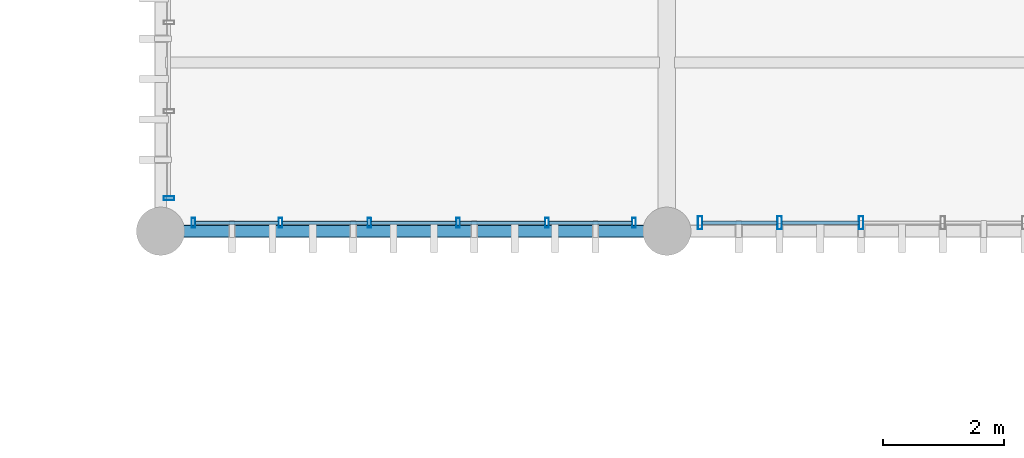
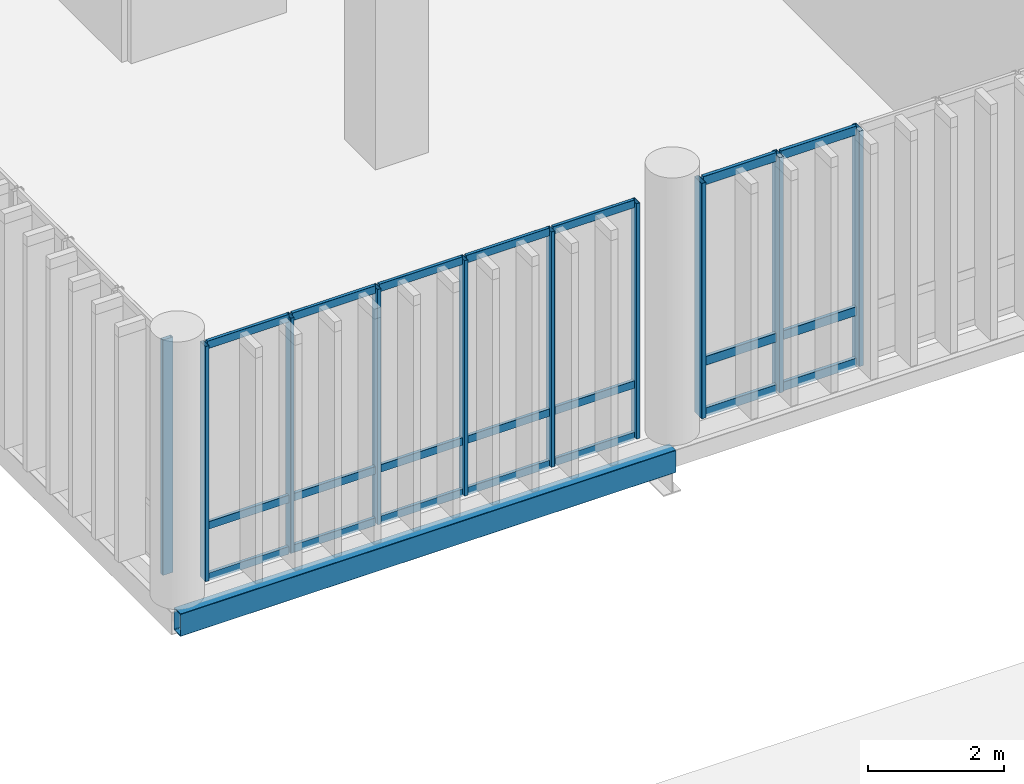
# One storey, part 63 of 109: 31 members, 1 beam, 3 elements without a shape of their own.
"""IFC4 building model written with IfcOpenShell, lengths in metres."""

from ifc_helpers import new_model, si_unit, direction, frame, origin_with_axes, origin_2d_with_axis, place, context, subcontext, project, spatial, hollow_rectangle, extrude, material, material_profile, profile_set, type_object, element, aggregate, save


model = new_model("IFC4")

# Units and contexts
model_context = context("Model", 3, precision=1e-05, world=origin_with_axes(), true_north=direction((0.0, 1.0)))
body_context = subcontext(model_context, "Body", "Model", "MODEL_VIEW")
ifc_project = project(units=[si_unit("LENGTHUNIT", "METRE"), si_unit("AREAUNIT", "SQUARE_METRE"), si_unit("VOLUMEUNIT", "CUBIC_METRE"), si_unit("PLANEANGLEUNIT", "RADIAN"), si_unit("MASSUNIT", "GRAM", prefix="KILO"), si_unit("THERMODYNAMICTEMPERATUREUNIT", "KELVIN")], contexts=[model_context])

# Site, building, storey
site_placement = place(None, origin_with_axes())
site = spatial("IfcSite", under=ifc_project, at=site_placement, CompositionType="ELEMENT")
building_placement = place(site_placement, origin_with_axes())
building = spatial("IfcBuilding", under=site, at=building_placement, Name="Montbau Bow Law Courts", CompositionType="ELEMENT")
storey_placement = place(building_placement, frame((0.0, 0.0, 10.8), z_axis=(0.0, 0.0, 1.0), x_axis=(1.0, 0.0, 0.0)))
storey = spatial("IfcBuildingStorey", under=building, at=storey_placement, Name="L02", CompositionType="ELEMENT", Elevation=10.8)

# Beam
ifc_material_1 = material(Name="Steel CSA G40.21 Grade 350WT (350 MPa)", Category="steel")
ifc_material_profile_1 = material_profile(ifc_material_1, hollow_rectangle(XDim=0.203, YDim=0.406, WallThickness=0.0127, InnerFilletRadius=0.0254, OuterFilletRadius=0.0127, at=origin_2d_with_axis()), Name="HSS406X203X13", Category="Main", Priority=0)
ifc_profile_set_1 = profile_set([ifc_material_profile_1], Name="Steel CSA G40.21 Grade 350WT (350 MPa)")
beam_type = type_object("IfcBeamType", Name="B-SPN-01", PredefinedType="SPANDREL", material=ifc_profile_set_1)
beam_placement = place(None, frame((138.6, 69.6, 10.297), z_axis=(1.0, 0.0, 0.0), x_axis=(0.0, 1.0, 0.0)))
element("IfcBeam", 1, at=beam_placement, inside=storey, type_object=beam_type, Name="SPN-L02-S1165:bm2_1168", PredefinedType="SPANDREL", context=body_context, shape_type="SweptSolid", body=[
    extrude(hollow_rectangle(XDim=0.203, YDim=0.406, WallThickness=0.0127, InnerFilletRadius=0.0254, OuterFilletRadius=0.0127, at=origin_2d_with_axis()), origin_with_axes(), (0.0, 0.0, 1.0), 8.4),
])

# Curtain wall, members
ifc_material_2 = material(Name="Thermally Broken Extruded Aluminium AA 6063-T6", Category="aluminium")
curtain_wall_type = type_object("IfcCurtainWallType", Name="CW-SLT-01", PredefinedType="NOTDEFINED", material=ifc_material_2)
curtain_wall_1_placement = place(None, frame((147.515, 69.74, 10.8), z_axis=(0.0, 0.0, 1.0), x_axis=(1.0, 0.0, 0.0)))
curtain_wall_1 = element("IfcCurtainWall", 2, at=curtain_wall_1_placement, inside=storey, type_object=curtain_wall_type, Name="CW-L02-294:cw_0294", PredefinedType="NOTDEFINED")
ifc_material_profile_2 = material_profile(ifc_material_2, hollow_rectangle(XDim=0.075, YDim=0.22, WallThickness=0.005, InnerFilletRadius=0.01, OuterFilletRadius=0.005, at=origin_2d_with_axis()), Name="CWM-220X75", Category="Main", Priority=0)
ifc_profile_set_2 = profile_set([ifc_material_profile_2], Name="Thermally Broken Extruded Aluminium AA 6063-T6")
member_type_1 = type_object("IfcMemberType", Name="M-MUL-01", PredefinedType="MULLION", material=ifc_profile_set_2)
member_1_placement = place(None, frame((147.552, 69.74, 10.8), z_axis=(0.0, 0.0, 1.0), x_axis=(1.0, 0.0, 0.0)))
member_1 = element("IfcMember", 3, at=member_1_placement, type_object=member_type_1, Name="CW-L02-294-M01:cw_0294_M01", PredefinedType="MULLION", context=body_context, shape_type="SweptSolid", body=[
    extrude(hollow_rectangle(XDim=0.075, YDim=0.22, WallThickness=0.005, InnerFilletRadius=0.01, OuterFilletRadius=0.005, at=origin_2d_with_axis()), origin_with_axes(), (0.0, 0.0, 1.0), 4.22),
])
member_2_placement = place(None, frame((148.869, 69.74, 10.8), z_axis=(0.0, 0.0, 1.0), x_axis=(1.0, 0.0, 0.0)))
member_2 = element("IfcMember", 4, at=member_2_placement, type_object=member_type_1, Name="CW-L02-294-M02:cw_0294_M02", PredefinedType="MULLION", context=body_context, shape_type="SweptSolid", body=[
    extrude(hollow_rectangle(XDim=0.075, YDim=0.22, WallThickness=0.005, InnerFilletRadius=0.01, OuterFilletRadius=0.005, at=origin_2d_with_axis()), origin_with_axes(), (0.0, 0.0, 1.0), 4.22),
])
member_3_placement = place(None, frame((150.223, 69.74, 10.8), z_axis=(0.0, 0.0, 1.0), x_axis=(1.0, 0.0, 0.0)))
member_3 = element("IfcMember", 5, at=member_3_placement, type_object=member_type_1, Name="CW-L02-294-M03:cw_0294_M03", PredefinedType="MULLION", context=body_context, shape_type="SweptSolid", body=[
    extrude(hollow_rectangle(XDim=0.075, YDim=0.22, WallThickness=0.005, InnerFilletRadius=0.01, OuterFilletRadius=0.005, at=origin_2d_with_axis()), origin_with_axes(), (0.0, 0.0, 1.0), 4.22),
])

# Curtain wall, member
curtain_wall_2_placement = place(None, frame((138.74, 70.115, 10.8), z_axis=(0.0, 0.0, 1.0), x_axis=(1.0, 0.0, 0.0)))
curtain_wall_2 = element("IfcCurtainWall", 6, at=curtain_wall_2_placement, inside=storey, type_object=curtain_wall_type, Name="CW-L02-301:cw_0301", PredefinedType="NOTDEFINED")
ifc_material_profile_3 = material_profile(ifc_material_2, hollow_rectangle(XDim=0.065, YDim=0.18, WallThickness=0.005, InnerFilletRadius=0.01, OuterFilletRadius=0.005, at=origin_2d_with_axis()), Name="CWM-180X65", Category="Main", Priority=0)
ifc_profile_set_3 = profile_set([ifc_material_profile_3], Name="Thermally Broken Extruded Aluminium AA 6063-T6")
member_type_2 = type_object("IfcMemberType", Name="M-MUL-02", PredefinedType="MULLION", material=ifc_profile_set_3)
member_4_placement = place(None, frame((138.74, 70.148, 10.8), z_axis=(0.0, 0.0, 1.0), x_axis=(0.0, 1.0, 0.0)))
member_4 = element("IfcMember", 7, at=member_4_placement, type_object=member_type_2, Name="CW-L02-301-M01:cw_0301_M01", PredefinedType="MULLION", context=body_context, shape_type="SweptSolid", body=[
    extrude(hollow_rectangle(XDim=0.065, YDim=0.18, WallThickness=0.005, InnerFilletRadius=0.01, OuterFilletRadius=0.005, at=origin_2d_with_axis()), origin_with_axes(), (0.0, 0.0, 1.0), 4.22),
])
aggregate(curtain_wall_2, [member_4])

# Curtain wall, members
curtain_wall_3_placement = place(None, frame((139.115, 69.74, 10.8), z_axis=(0.0, 0.0, 1.0), x_axis=(1.0, 0.0, 0.0)))
curtain_wall_3 = element("IfcCurtainWall", 8, at=curtain_wall_3_placement, inside=storey, type_object=curtain_wall_type, Name="CW-L02-293:cw_0293", PredefinedType="NOTDEFINED")
ifc_material_profile_4 = material_profile(ifc_material_2, hollow_rectangle(XDim=0.06, YDim=0.16, WallThickness=0.004, InnerFilletRadius=0.008, OuterFilletRadius=0.004, at=origin_2d_with_axis()), Name="CWM-160X60", Category="Main", Priority=0)
ifc_profile_set_4 = profile_set([ifc_material_profile_4], Name="Thermally Broken Extruded Aluminium AA 6063-T6")
member_type_3 = type_object("IfcMemberType", Name="M-MUL-03", PredefinedType="MULLION", material=ifc_profile_set_4)
member_5_placement = place(None, frame((139.145, 69.74, 10.8), z_axis=(0.0, 0.0, 1.0), x_axis=(1.0, 0.0, 0.0)))
member_5 = element("IfcMember", 9, at=member_5_placement, type_object=member_type_3, Name="CW-L02-293-M01:cw_0293_M01", PredefinedType="MULLION", context=body_context, shape_type="SweptSolid", body=[
    extrude(hollow_rectangle(XDim=0.06, YDim=0.16, WallThickness=0.004, InnerFilletRadius=0.008, OuterFilletRadius=0.004, at=origin_2d_with_axis()), origin_with_axes(), (0.0, 0.0, 1.0), 4.22),
])
member_6_placement = place(None, frame((140.589, 69.74, 10.8), z_axis=(0.0, 0.0, 1.0), x_axis=(1.0, 0.0, 0.0)))
member_6 = element("IfcMember", 10, at=member_6_placement, type_object=member_type_3, Name="CW-L02-293-M02:cw_0293_M02", PredefinedType="MULLION", context=body_context, shape_type="SweptSolid", body=[
    extrude(hollow_rectangle(XDim=0.06, YDim=0.16, WallThickness=0.004, InnerFilletRadius=0.008, OuterFilletRadius=0.004, at=origin_2d_with_axis()), origin_with_axes(), (0.0, 0.0, 1.0), 4.22),
])
member_7_placement = place(None, frame((142.063, 69.74, 10.8), z_axis=(0.0, 0.0, 1.0), x_axis=(1.0, 0.0, 0.0)))
member_7 = element("IfcMember", 11, at=member_7_placement, type_object=member_type_3, Name="CW-L02-293-M03:cw_0293_M03", PredefinedType="MULLION", context=body_context, shape_type="SweptSolid", body=[
    extrude(hollow_rectangle(XDim=0.06, YDim=0.16, WallThickness=0.004, InnerFilletRadius=0.008, OuterFilletRadius=0.004, at=origin_2d_with_axis()), origin_with_axes(), (0.0, 0.0, 1.0), 4.22),
])
member_8_placement = place(None, frame((143.537, 69.74, 10.8), z_axis=(0.0, 0.0, 1.0), x_axis=(1.0, 0.0, 0.0)))
member_8 = element("IfcMember", 12, at=member_8_placement, type_object=member_type_3, Name="CW-L02-293-M04:cw_0293_M04", PredefinedType="MULLION", context=body_context, shape_type="SweptSolid", body=[
    extrude(hollow_rectangle(XDim=0.06, YDim=0.16, WallThickness=0.004, InnerFilletRadius=0.008, OuterFilletRadius=0.004, at=origin_2d_with_axis()), origin_with_axes(), (0.0, 0.0, 1.0), 4.22),
])
member_9_placement = place(None, frame((145.011, 69.74, 10.8), z_axis=(0.0, 0.0, 1.0), x_axis=(1.0, 0.0, 0.0)))
member_9 = element("IfcMember", 13, at=member_9_placement, type_object=member_type_3, Name="CW-L02-293-M05:cw_0293_M05", PredefinedType="MULLION", context=body_context, shape_type="SweptSolid", body=[
    extrude(hollow_rectangle(XDim=0.06, YDim=0.16, WallThickness=0.004, InnerFilletRadius=0.008, OuterFilletRadius=0.004, at=origin_2d_with_axis()), origin_with_axes(), (0.0, 0.0, 1.0), 4.22),
])
member_10_placement = place(None, frame((146.455, 69.74, 10.8), z_axis=(0.0, 0.0, 1.0), x_axis=(1.0, 0.0, 0.0)))
member_10 = element("IfcMember", 14, at=member_10_placement, type_object=member_type_3, Name="CW-L02-293-M06:cw_0293_M06", PredefinedType="MULLION", context=body_context, shape_type="SweptSolid", body=[
    extrude(hollow_rectangle(XDim=0.06, YDim=0.16, WallThickness=0.004, InnerFilletRadius=0.008, OuterFilletRadius=0.004, at=origin_2d_with_axis()), origin_with_axes(), (0.0, 0.0, 1.0), 4.22),
])

# Member
ifc_material_profile_5 = material_profile(ifc_material_2, hollow_rectangle(XDim=0.06, YDim=0.16, WallThickness=0.004, InnerFilletRadius=0.008, OuterFilletRadius=0.004, at=origin_2d_with_axis()), Name="CWT-160X60", Category="Main", Priority=0)
ifc_profile_set_5 = profile_set([ifc_material_profile_5], Name="Thermally Broken Extruded Aluminium AA 6063-T6")
member_type_4 = type_object("IfcMemberType", Name="M-TRN-01", PredefinedType="USERDEFINED", material=ifc_profile_set_5)
member_11_placement = place(None, frame((147.591, 69.74, 10.83), z_axis=(1.0, 0.0, 0.0), x_axis=(0.0, 1.0, 0.0)))
member_11 = element("IfcMember", 15, at=member_11_placement, type_object=member_type_4, Name="CW-L02-294-T01-1:cw_0294_T01_1", ObjectType="TRANSOM", PredefinedType="USERDEFINED", context=body_context, shape_type="SweptSolid", body=[
    extrude(hollow_rectangle(XDim=0.06, YDim=0.16, WallThickness=0.004, InnerFilletRadius=0.008, OuterFilletRadius=0.004, at=origin_2d_with_axis()), origin_with_axes(), (0.0, 0.0, 1.0), 1.239),
])

member_12_placement = place(None, frame((147.591, 69.74, 11.75), z_axis=(1.0, 0.0, 0.0), x_axis=(0.0, 1.0, 0.0)))
member_12 = element("IfcMember", 16, at=member_12_placement, type_object=member_type_4, Name="CW-L02-294-T01-2:cw_0294_T01_2", ObjectType="TRANSOM", PredefinedType="USERDEFINED", context=body_context, shape_type="SweptSolid", body=[
    extrude(hollow_rectangle(XDim=0.06, YDim=0.16, WallThickness=0.004, InnerFilletRadius=0.008, OuterFilletRadius=0.004, at=origin_2d_with_axis()), origin_with_axes(), (0.0, 0.0, 1.0), 1.239),
])

member_13_placement = place(None, frame((147.591, 69.74, 14.99), z_axis=(1.0, 0.0, 0.0), x_axis=(0.0, 1.0, 0.0)))
member_13 = element("IfcMember", 17, at=member_13_placement, type_object=member_type_4, Name="CW-L02-294-T01-3:cw_0294_T01_3", ObjectType="TRANSOM", PredefinedType="USERDEFINED", context=body_context, shape_type="SweptSolid", body=[
    extrude(hollow_rectangle(XDim=0.06, YDim=0.16, WallThickness=0.004, InnerFilletRadius=0.008, OuterFilletRadius=0.004, at=origin_2d_with_axis()), origin_with_axes(), (0.0, 0.0, 1.0), 1.239),
])

member_14_placement = place(None, frame((148.909, 69.74, 10.83), z_axis=(1.0, 0.0, 0.0), x_axis=(0.0, 1.0, 0.0)))
member_14 = element("IfcMember", 18, at=member_14_placement, type_object=member_type_4, Name="CW-L02-294-T02-1:cw_0294_T02_1", ObjectType="TRANSOM", PredefinedType="USERDEFINED", context=body_context, shape_type="SweptSolid", body=[
    extrude(hollow_rectangle(XDim=0.06, YDim=0.16, WallThickness=0.004, InnerFilletRadius=0.008, OuterFilletRadius=0.004, at=origin_2d_with_axis()), origin_with_axes(), (0.0, 0.0, 1.0), 1.275),
])

member_15_placement = place(None, frame((148.909, 69.74, 11.75), z_axis=(1.0, 0.0, 0.0), x_axis=(0.0, 1.0, 0.0)))
member_15 = element("IfcMember", 19, at=member_15_placement, type_object=member_type_4, Name="CW-L02-294-T02-2:cw_0294_T02_2", ObjectType="TRANSOM", PredefinedType="USERDEFINED", context=body_context, shape_type="SweptSolid", body=[
    extrude(hollow_rectangle(XDim=0.06, YDim=0.16, WallThickness=0.004, InnerFilletRadius=0.008, OuterFilletRadius=0.004, at=origin_2d_with_axis()), origin_with_axes(), (0.0, 0.0, 1.0), 1.275),
])

member_16_placement = place(None, frame((148.909, 69.74, 14.99), z_axis=(1.0, 0.0, 0.0), x_axis=(0.0, 1.0, 0.0)))
member_16 = element("IfcMember", 20, at=member_16_placement, type_object=member_type_4, Name="CW-L02-294-T02-3:cw_0294_T02_3", ObjectType="TRANSOM", PredefinedType="USERDEFINED", context=body_context, shape_type="SweptSolid", body=[
    extrude(hollow_rectangle(XDim=0.06, YDim=0.16, WallThickness=0.004, InnerFilletRadius=0.008, OuterFilletRadius=0.004, at=origin_2d_with_axis()), origin_with_axes(), (0.0, 0.0, 1.0), 1.275),
])

aggregate(curtain_wall_1, [member_1, member_2, member_3, member_11, member_12, member_13, member_14, member_15, member_16])

ifc_material_profile_6 = material_profile(ifc_material_2, hollow_rectangle(XDim=0.055, YDim=0.14, WallThickness=0.004, InnerFilletRadius=0.008, OuterFilletRadius=0.004, at=origin_2d_with_axis()), Name="CWT-140X55", Category="Main", Priority=0)
ifc_profile_set_6 = profile_set([ifc_material_profile_6], Name="Thermally Broken Extruded Aluminium AA 6063-T6")
member_type_5 = type_object("IfcMemberType", Name="M-TRN-02", PredefinedType="USERDEFINED", material=ifc_profile_set_6)
member_17_placement = place(None, frame((139.177, 69.74, 10.828), z_axis=(1.0, 0.0, 0.0), x_axis=(0.0, 1.0, 0.0)))
member_17 = element("IfcMember", 21, at=member_17_placement, type_object=member_type_5, Name="CW-L02-293-T01-1:cw_0293_T01_1", ObjectType="TRANSOM", PredefinedType="USERDEFINED", context=body_context, shape_type="SweptSolid", body=[
    extrude(hollow_rectangle(XDim=0.055, YDim=0.14, WallThickness=0.004, InnerFilletRadius=0.008, OuterFilletRadius=0.004, at=origin_2d_with_axis()), origin_with_axes(), (0.0, 0.0, 1.0), 1.38),
])

member_18_placement = place(None, frame((139.177, 69.74, 11.75), z_axis=(1.0, 0.0, 0.0), x_axis=(0.0, 1.0, 0.0)))
member_18 = element("IfcMember", 22, at=member_18_placement, type_object=member_type_5, Name="CW-L02-293-T01-2:cw_0293_T01_2", ObjectType="TRANSOM", PredefinedType="USERDEFINED", context=body_context, shape_type="SweptSolid", body=[
    extrude(hollow_rectangle(XDim=0.055, YDim=0.14, WallThickness=0.004, InnerFilletRadius=0.008, OuterFilletRadius=0.004, at=origin_2d_with_axis()), origin_with_axes(), (0.0, 0.0, 1.0), 1.38),
])

member_19_placement = place(None, frame((139.177, 69.74, 14.992), z_axis=(1.0, 0.0, 0.0), x_axis=(0.0, 1.0, 0.0)))
member_19 = element("IfcMember", 23, at=member_19_placement, type_object=member_type_5, Name="CW-L02-293-T01-3:cw_0293_T01_3", ObjectType="TRANSOM", PredefinedType="USERDEFINED", context=body_context, shape_type="SweptSolid", body=[
    extrude(hollow_rectangle(XDim=0.055, YDim=0.14, WallThickness=0.004, InnerFilletRadius=0.008, OuterFilletRadius=0.004, at=origin_2d_with_axis()), origin_with_axes(), (0.0, 0.0, 1.0), 1.38),
])

member_20_placement = place(None, frame((140.621, 69.74, 10.828), z_axis=(1.0, 0.0, 0.0), x_axis=(0.0, 1.0, 0.0)))
member_20 = element("IfcMember", 24, at=member_20_placement, type_object=member_type_5, Name="CW-L02-293-T02-1:cw_0293_T02_1", ObjectType="TRANSOM", PredefinedType="USERDEFINED", context=body_context, shape_type="SweptSolid", body=[
    extrude(hollow_rectangle(XDim=0.055, YDim=0.14, WallThickness=0.004, InnerFilletRadius=0.008, OuterFilletRadius=0.004, at=origin_2d_with_axis()), origin_with_axes(), (0.0, 0.0, 1.0), 1.41),
])

member_21_placement = place(None, frame((140.621, 69.74, 11.75), z_axis=(1.0, 0.0, 0.0), x_axis=(0.0, 1.0, 0.0)))
member_21 = element("IfcMember", 25, at=member_21_placement, type_object=member_type_5, Name="CW-L02-293-T02-2:cw_0293_T02_2", ObjectType="TRANSOM", PredefinedType="USERDEFINED", context=body_context, shape_type="SweptSolid", body=[
    extrude(hollow_rectangle(XDim=0.055, YDim=0.14, WallThickness=0.004, InnerFilletRadius=0.008, OuterFilletRadius=0.004, at=origin_2d_with_axis()), origin_with_axes(), (0.0, 0.0, 1.0), 1.41),
])

member_22_placement = place(None, frame((140.621, 69.74, 14.992), z_axis=(1.0, 0.0, 0.0), x_axis=(0.0, 1.0, 0.0)))
member_22 = element("IfcMember", 26, at=member_22_placement, type_object=member_type_5, Name="CW-L02-293-T02-3:cw_0293_T02_3", ObjectType="TRANSOM", PredefinedType="USERDEFINED", context=body_context, shape_type="SweptSolid", body=[
    extrude(hollow_rectangle(XDim=0.055, YDim=0.14, WallThickness=0.004, InnerFilletRadius=0.008, OuterFilletRadius=0.004, at=origin_2d_with_axis()), origin_with_axes(), (0.0, 0.0, 1.0), 1.41),
])

member_23_placement = place(None, frame((142.095, 69.74, 10.828), z_axis=(1.0, 0.0, 0.0), x_axis=(0.0, 1.0, 0.0)))
member_23 = element("IfcMember", 27, at=member_23_placement, type_object=member_type_5, Name="CW-L02-293-T03-1:cw_0293_T03_1", ObjectType="TRANSOM", PredefinedType="USERDEFINED", context=body_context, shape_type="SweptSolid", body=[
    extrude(hollow_rectangle(XDim=0.055, YDim=0.14, WallThickness=0.004, InnerFilletRadius=0.008, OuterFilletRadius=0.004, at=origin_2d_with_axis()), origin_with_axes(), (0.0, 0.0, 1.0), 1.41),
])

member_24_placement = place(None, frame((142.095, 69.74, 11.75), z_axis=(1.0, 0.0, 0.0), x_axis=(0.0, 1.0, 0.0)))
member_24 = element("IfcMember", 28, at=member_24_placement, type_object=member_type_5, Name="CW-L02-293-T03-2:cw_0293_T03_2", ObjectType="TRANSOM", PredefinedType="USERDEFINED", context=body_context, shape_type="SweptSolid", body=[
    extrude(hollow_rectangle(XDim=0.055, YDim=0.14, WallThickness=0.004, InnerFilletRadius=0.008, OuterFilletRadius=0.004, at=origin_2d_with_axis()), origin_with_axes(), (0.0, 0.0, 1.0), 1.41),
])

member_25_placement = place(None, frame((142.095, 69.74, 14.992), z_axis=(1.0, 0.0, 0.0), x_axis=(0.0, 1.0, 0.0)))
member_25 = element("IfcMember", 29, at=member_25_placement, type_object=member_type_5, Name="CW-L02-293-T03-3:cw_0293_T03_3", ObjectType="TRANSOM", PredefinedType="USERDEFINED", context=body_context, shape_type="SweptSolid", body=[
    extrude(hollow_rectangle(XDim=0.055, YDim=0.14, WallThickness=0.004, InnerFilletRadius=0.008, OuterFilletRadius=0.004, at=origin_2d_with_axis()), origin_with_axes(), (0.0, 0.0, 1.0), 1.41),
])

member_26_placement = place(None, frame((143.569, 69.74, 10.828), z_axis=(1.0, 0.0, 0.0), x_axis=(0.0, 1.0, 0.0)))
member_26 = element("IfcMember", 30, at=member_26_placement, type_object=member_type_5, Name="CW-L02-293-T04-1:cw_0293_T04_1", ObjectType="TRANSOM", PredefinedType="USERDEFINED", context=body_context, shape_type="SweptSolid", body=[
    extrude(hollow_rectangle(XDim=0.055, YDim=0.14, WallThickness=0.004, InnerFilletRadius=0.008, OuterFilletRadius=0.004, at=origin_2d_with_axis()), origin_with_axes(), (0.0, 0.0, 1.0), 1.41),
])

member_27_placement = place(None, frame((143.569, 69.74, 11.75), z_axis=(1.0, 0.0, 0.0), x_axis=(0.0, 1.0, 0.0)))
member_27 = element("IfcMember", 31, at=member_27_placement, type_object=member_type_5, Name="CW-L02-293-T04-2:cw_0293_T04_2", ObjectType="TRANSOM", PredefinedType="USERDEFINED", context=body_context, shape_type="SweptSolid", body=[
    extrude(hollow_rectangle(XDim=0.055, YDim=0.14, WallThickness=0.004, InnerFilletRadius=0.008, OuterFilletRadius=0.004, at=origin_2d_with_axis()), origin_with_axes(), (0.0, 0.0, 1.0), 1.41),
])

member_28_placement = place(None, frame((143.569, 69.74, 14.992), z_axis=(1.0, 0.0, 0.0), x_axis=(0.0, 1.0, 0.0)))
member_28 = element("IfcMember", 32, at=member_28_placement, type_object=member_type_5, Name="CW-L02-293-T04-3:cw_0293_T04_3", ObjectType="TRANSOM", PredefinedType="USERDEFINED", context=body_context, shape_type="SweptSolid", body=[
    extrude(hollow_rectangle(XDim=0.055, YDim=0.14, WallThickness=0.004, InnerFilletRadius=0.008, OuterFilletRadius=0.004, at=origin_2d_with_axis()), origin_with_axes(), (0.0, 0.0, 1.0), 1.41),
])

member_29_placement = place(None, frame((145.043, 69.74, 10.828), z_axis=(1.0, 0.0, 0.0), x_axis=(0.0, 1.0, 0.0)))
member_29 = element("IfcMember", 33, at=member_29_placement, type_object=member_type_5, Name="CW-L02-293-T05-1:cw_0293_T05_1", ObjectType="TRANSOM", PredefinedType="USERDEFINED", context=body_context, shape_type="SweptSolid", body=[
    extrude(hollow_rectangle(XDim=0.055, YDim=0.14, WallThickness=0.004, InnerFilletRadius=0.008, OuterFilletRadius=0.004, at=origin_2d_with_axis()), origin_with_axes(), (0.0, 0.0, 1.0), 1.38),
])

member_30_placement = place(None, frame((145.043, 69.74, 11.75), z_axis=(1.0, 0.0, 0.0), x_axis=(0.0, 1.0, 0.0)))
member_30 = element("IfcMember", 34, at=member_30_placement, type_object=member_type_5, Name="CW-L02-293-T05-2:cw_0293_T05_2", ObjectType="TRANSOM", PredefinedType="USERDEFINED", context=body_context, shape_type="SweptSolid", body=[
    extrude(hollow_rectangle(XDim=0.055, YDim=0.14, WallThickness=0.004, InnerFilletRadius=0.008, OuterFilletRadius=0.004, at=origin_2d_with_axis()), origin_with_axes(), (0.0, 0.0, 1.0), 1.38),
])

member_31_placement = place(None, frame((145.043, 69.74, 14.992), z_axis=(1.0, 0.0, 0.0), x_axis=(0.0, 1.0, 0.0)))
member_31 = element("IfcMember", 35, at=member_31_placement, type_object=member_type_5, Name="CW-L02-293-T05-3:cw_0293_T05_3", ObjectType="TRANSOM", PredefinedType="USERDEFINED", context=body_context, shape_type="SweptSolid", body=[
    extrude(hollow_rectangle(XDim=0.055, YDim=0.14, WallThickness=0.004, InnerFilletRadius=0.008, OuterFilletRadius=0.004, at=origin_2d_with_axis()), origin_with_axes(), (0.0, 0.0, 1.0), 1.38),
])

aggregate(curtain_wall_3, [member_5, member_6, member_7, member_8, member_9, member_10, member_17, member_18, member_19, member_20, member_21, member_22, member_23, member_24, member_25, member_26, member_27, member_28, member_29, member_30, member_31])

save(model, "model.ifc")
